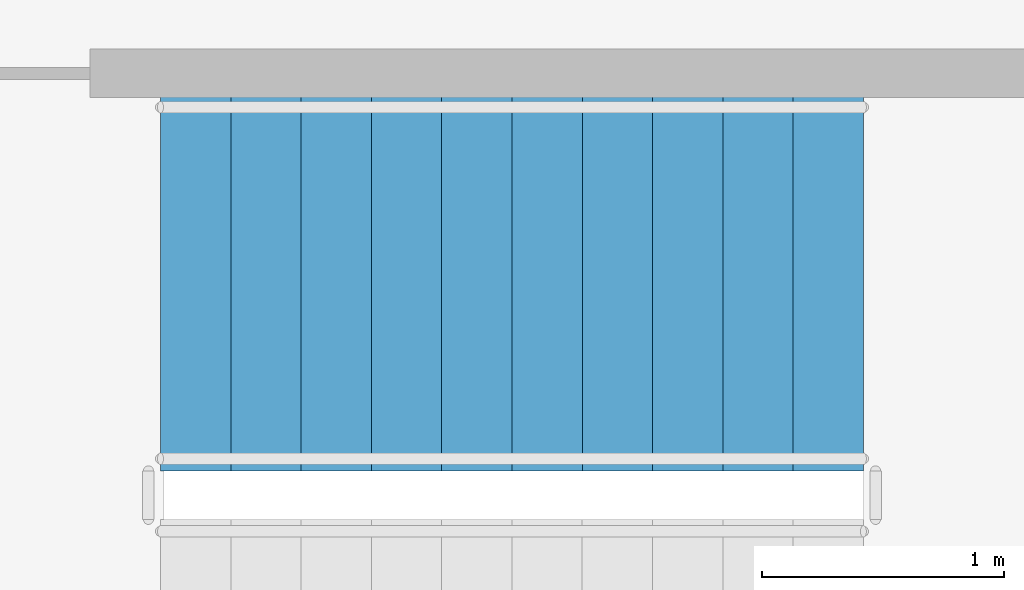
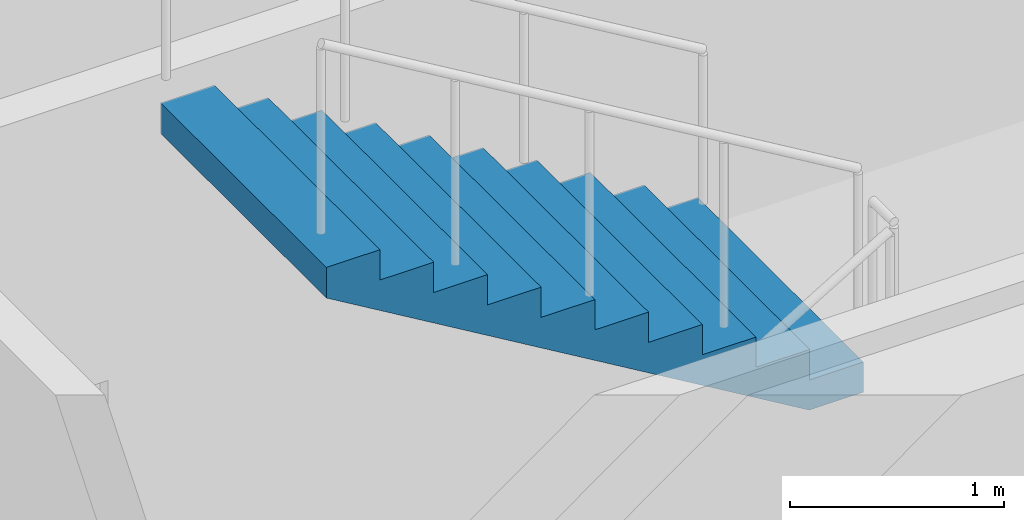
# One storey, part 20 of 24: 1 stair flight, 1 element without a shape of its own.
"""IFC4 building model written with IfcOpenShell, lengths in metres."""

from ifc_helpers import new_model, si_unit, direction, frame, origin, place, context, subcontext, project, spatial, polyline, outline, extrude, material, type_object, element, aggregate, save


model = new_model("IFC4")

# Units and contexts
model_context = context("Model", 3, precision=1e-05, world=origin(), true_north=direction((0.0, 1.0)))
body_context = subcontext(model_context, "Body", "Model", "MODEL_VIEW")
ifc_project = project(units=[si_unit("LENGTHUNIT", "METRE"), si_unit("AREAUNIT", "SQUARE_METRE"), si_unit("VOLUMEUNIT", "CUBIC_METRE"), si_unit("PLANEANGLEUNIT", "RADIAN"), si_unit("MASSUNIT", "GRAM", prefix="KILO")], contexts=[model_context])

# Site, building, storey
site_placement = place(None, origin())
site = spatial("IfcSite", under=ifc_project, at=site_placement, CompositionType="ELEMENT")
building_placement = place(site_placement, origin())
building = spatial("IfcBuilding", under=site, at=building_placement, Name="Putna Gate Headquarters", CompositionType="ELEMENT")
storey_placement = place(building_placement, frame((0.0, 0.0, 236.60009765625)))
storey = spatial("IfcBuildingStorey", under=building, at=storey_placement, Name="L59", CompositionType="ELEMENT", Elevation=236.60009765625)

# Stair, stair flight
ifc_material = material(Name="Concrete C40/50", Category="concrete")
stair_type = type_object("IfcStairType", Name="STAIR-ST2", PredefinedType="HALF_TURN_STAIR", material=ifc_material)
stair_placement = place(storey_placement, origin())
stair = element("IfcStair", 1, at=stair_placement, inside=storey, type_object=stair_type, Name="L59 East Core Exit Stair ST2", PredefinedType="HALF_TURN_STAIR")
stair_flight_type = type_object("IfcStairFlightType", Name="FLIGHT-ST2", PredefinedType="STRAIGHT", material=ifc_material)
stair_flight_placement = place(storey_placement, frame((60.800048828125, 22.125, 1.89990234375), z_axis=(0.0, 0.0, 1.0), x_axis=(-1.0, 0.0, 0.0)))
stair_flight = element("IfcStairFlight", 2, at=stair_flight_placement, type_object=stair_flight_type, Name="ST2 flight 2", NumberOfRisers=11, NumberOfTreads=10, PredefinedType="STRAIGHT", RiserHeight=0.172727273, TreadLength=0.29, context=body_context, shape_type="SweptSolid", body=[
    extrude(outline(polyline([(0.0, 0.0), (0.0, 0.172607421875), (0.2900390625, 0.172607421875), (0.2900390625, 0.345458984375), (0.580078125, 0.345458984375), (0.580078125, 0.51806640625), (0.8701171875, 0.51806640625), (0.8701171875, 0.69091796875), (1.159912109375, 0.69091796875), (1.159912109375, 0.863525390625), (1.449951171875, 0.863525390625), (1.449951171875, 1.036376953125), (1.739990234375, 1.036376953125), (1.739990234375, 1.208984375), (2.030029296875, 1.208984375), (2.030029296875, 1.3818359375), (2.320068359375, 1.3818359375), (2.320068359375, 1.554443359375), (2.610107421875, 1.554443359375), (2.610107421875, 1.727294921875), (2.89990234375, 1.727294921875), (2.89990234375, 1.89990234375), (2.89990234375, 1.552734375), (0.29296875, 0.0), (0.0, 0.0)])), frame((0.0, 0.77490234375, 0.0), z_axis=(0.0, -1.0, 0.0), x_axis=(1.0, 0.0, 0.0)), (0.0, 0.0, 1.0), 1.550048828125),
])
aggregate(stair, [stair_flight])

save(model, "model.ifc")
